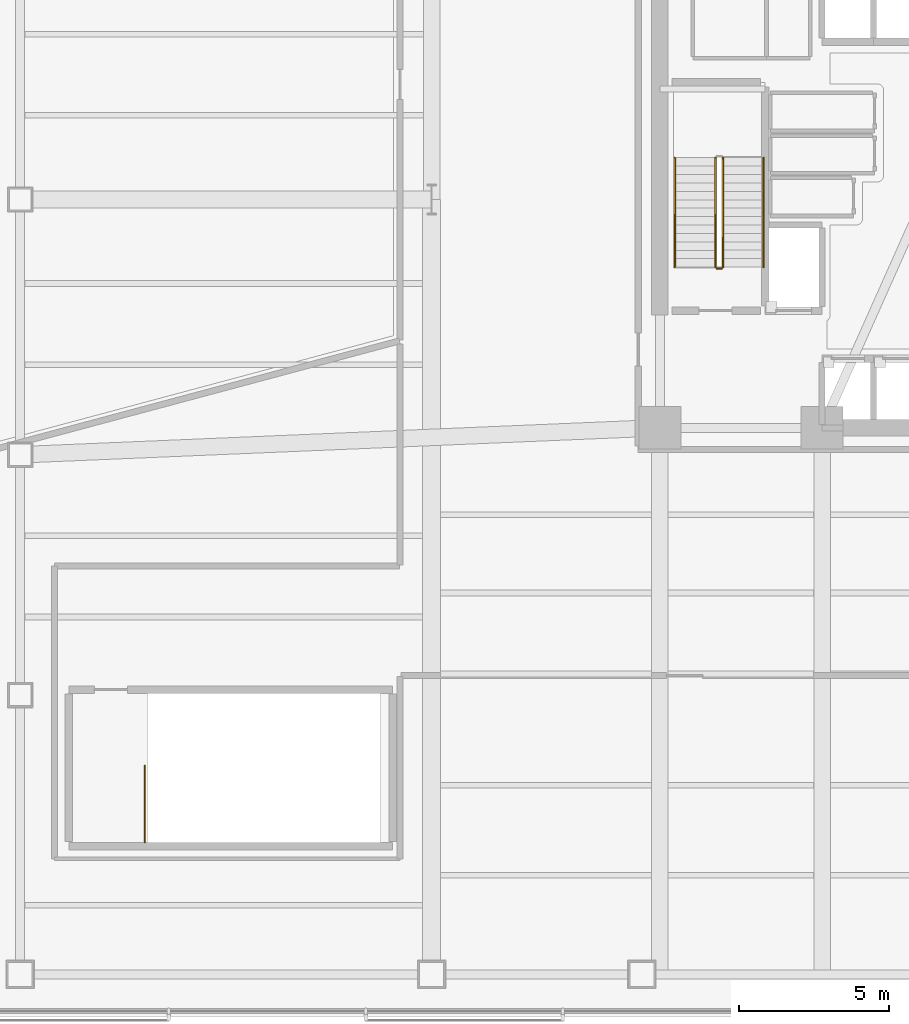
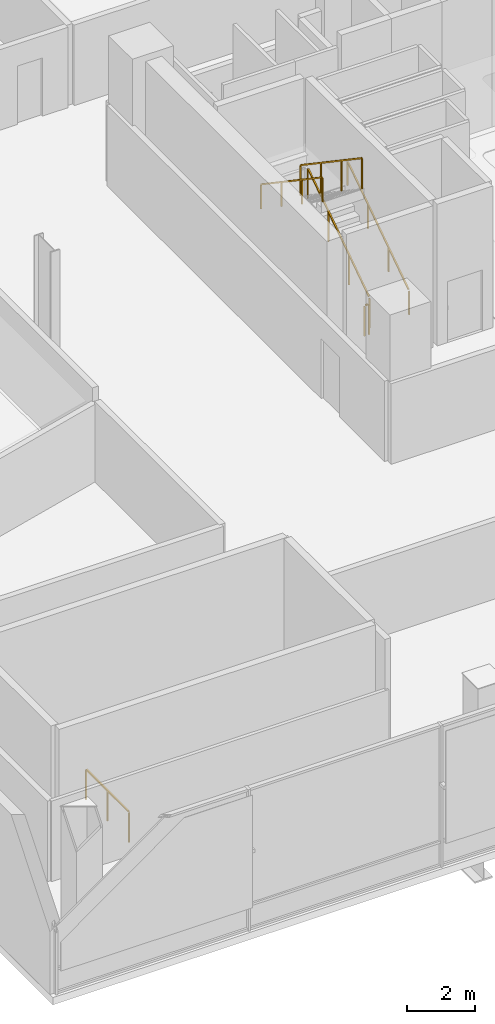
# One storey, part 17 of 19: 6 railings.
"""IFC4 building model written with IfcOpenShell, lengths in metres."""

from ifc_helpers import new_model, si_unit, direction, frame, origin, origin_2d, place, context, subcontext, project, spatial, rectangle, extrude, material, type_object, element, save


model = new_model("IFC4")

# Units and contexts
model_context = context("Model", 3, precision=1e-05, world=origin(), true_north=direction((0.0, 1.0)))
body_context = subcontext(model_context, "Body", "Model", "MODEL_VIEW")
ifc_project = project(units=[si_unit("LENGTHUNIT", "METRE"), si_unit("AREAUNIT", "SQUARE_METRE"), si_unit("VOLUMEUNIT", "CUBIC_METRE"), si_unit("PLANEANGLEUNIT", "RADIAN"), si_unit("MASSUNIT", "GRAM", prefix="KILO")], contexts=[model_context])

# Site, building, storey
site_placement = place(None, origin())
site = spatial("IfcSite", under=ifc_project, at=site_placement, CompositionType="ELEMENT")
building_placement = place(site_placement, origin())
building = spatial("IfcBuilding", under=site, at=building_placement, Name="Tharavind Bronze Gate", CompositionType="ELEMENT")
storey_placement = place(building_placement, frame((0.0, 0.0, 26.5)))
storey = spatial("IfcBuildingStorey", under=building, at=storey_placement, Name="L05", CompositionType="ELEMENT", Elevation=26.5)

# Railings
ifc_material = material(Name="Brushed Bronze Alloy", Category="metal")
railing_type_1 = type_object("IfcRailingType", Name="STAIR BRONZE HANDRAIL 900", PredefinedType="HANDRAIL", material=ifc_material)
railing_1_placement = place(storey_placement, frame((-5.449951171875, -2.25, 0.189208984375)))
element("IfcRailing", 1, at=railing_1_placement, inside=storey, type_object=railing_type_1, Name="L05 ST1 stair handrail 1", PredefinedType="HANDRAIL", context=body_context, shape_type="SweptSolid", body=[
    extrude(rectangle(XDim=0.048095703125, YDim=0.048095703125, at=origin_2d()), frame((0.0, 0.026611328125, 0.893798828125), z_axis=(0.0, 0.828451000957, 0.560061549309), x_axis=(-1.0, 0.0, 0.0)), (0.0, 0.0, 1.0), 4.32958984375),
    extrude(rectangle(XDim=0.0400390625, YDim=0.0400390625, at=origin_2d()), origin(), (0.0, 0.0, 1.0), 0.847900390625),
    extrude(rectangle(XDim=0.0400390625, YDim=0.0400390625, at=origin_2d()), frame((0.0, 1.21337890625, 0.8203125)), (0.0, 0.0, 1.0), 0.847900390625),
    extrude(rectangle(XDim=0.0400390625, YDim=0.0400390625, at=origin_2d()), frame((0.0, 2.426513671875, 1.640380859375)), (0.0, 0.0, 1.0), 0.847900390625),
    extrude(rectangle(XDim=0.0400390625, YDim=0.0400390625, at=origin_2d()), frame((0.0, 3.639892578125, 2.460693359375)), (0.0, 0.0, 1.0), 0.847900390625),
])
railing_2_placement = place(storey_placement, frame((-8.39990234375, 1.389892578125, 2.83935546875)))
element("IfcRailing", 2, at=railing_2_placement, inside=storey, type_object=railing_type_1, Name="L05 ST1 stair handrail 2", PredefinedType="HANDRAIL", context=body_context, shape_type="SweptSolid", body=[
    extrude(rectangle(XDim=0.048095703125, YDim=0.048095703125, at=origin_2d()), frame((0.0, -0.026611328125, 0.893798828125), z_axis=(0.0, -0.828451000957, 0.560061549309), x_axis=(1.0, 0.0, 0.0)), (0.0, 0.0, 1.0), 4.32958984375),
    extrude(rectangle(XDim=0.0400390625, YDim=0.0400390625, at=origin_2d()), origin(), (0.0, 0.0, 1.0), 0.847900390625),
    extrude(rectangle(XDim=0.0400390625, YDim=0.0400390625, at=origin_2d()), frame((0.0, -1.21337890625, 0.8203125)), (0.0, 0.0, 1.0), 0.847900390625),
    extrude(rectangle(XDim=0.0400390625, YDim=0.0400390625, at=origin_2d()), frame((0.0, -2.426513671875, 1.640380859375)), (0.0, 0.0, 1.0), 0.847900390625),
    extrude(rectangle(XDim=0.0400390625, YDim=0.0400390625, at=origin_2d()), frame((0.0, -3.639892578125, 2.460693359375)), (0.0, 0.0, 1.0), 0.847900390625),
])
railing_type_2 = type_object("IfcRailingType", Name="STAIR WELL GUARD RAILING 1120", PredefinedType="GUARDRAIL", material=ifc_material)
railing_3_placement = place(storey_placement, frame((-6.800048828125, -2.25, 0.189208984375)))
element("IfcRailing", 3, at=railing_3_placement, inside=storey, type_object=railing_type_2, Name="L05 ST1 stair guard 1", PredefinedType="GUARDRAIL", context=body_context, shape_type="SweptSolid", body=[
    extrude(rectangle(XDim=0.048095703125, YDim=0.048095703125, at=origin_2d()), frame((0.0, 0.026611328125, 1.114013671875), z_axis=(0.0, 0.828451000957, 0.560061549309), x_axis=(-1.0, 0.0, 0.0)), (0.0, 0.0, 1.0), 4.32958984375),
    extrude(rectangle(XDim=0.0400390625, YDim=0.0400390625, at=origin_2d()), origin(), (0.0, 0.0, 1.0), 1.068115234375),
    extrude(rectangle(XDim=0.0400390625, YDim=0.0400390625, at=origin_2d()), frame((0.0, 1.21337890625, 0.8203125)), (0.0, 0.0, 1.0), 1.068115234375),
    extrude(rectangle(XDim=0.0400390625, YDim=0.0400390625, at=origin_2d()), frame((0.0, 2.426513671875, 1.640380859375)), (0.0, 0.0, 1.0), 1.068115234375),
    extrude(rectangle(XDim=0.0400390625, YDim=0.0400390625, at=origin_2d()), frame((0.0, 3.639892578125, 2.460693359375)), (0.0, 0.0, 1.0), 1.068115234375),
])
railing_4_placement = place(storey_placement, frame((-7.050048828125, 1.389892578125, 2.83935546875)))
element("IfcRailing", 4, at=railing_4_placement, inside=storey, type_object=railing_type_2, Name="L05 ST1 stair guard 3", PredefinedType="GUARDRAIL", context=body_context, shape_type="SweptSolid", body=[
    extrude(rectangle(XDim=0.048095703125, YDim=0.048095703125, at=origin_2d()), frame((0.0, -0.026611328125, 1.114013671875), z_axis=(0.0, -0.828451000957, 0.560061549309), x_axis=(1.0, 0.0, 0.0)), (0.0, 0.0, 1.0), 4.32958984375),
    extrude(rectangle(XDim=0.0400390625, YDim=0.0400390625, at=origin_2d()), origin(), (0.0, 0.0, 1.0), 1.068115234375),
    extrude(rectangle(XDim=0.0400390625, YDim=0.0400390625, at=origin_2d()), frame((0.0, -1.21337890625, 0.8203125)), (0.0, 0.0, 1.0), 1.068115234375),
    extrude(rectangle(XDim=0.0400390625, YDim=0.0400390625, at=origin_2d()), frame((0.0, -2.426513671875, 1.640380859375)), (0.0, 0.0, 1.0), 1.068115234375),
    extrude(rectangle(XDim=0.0400390625, YDim=0.0400390625, at=origin_2d()), frame((0.0, -3.639892578125, 2.460693359375)), (0.0, 0.0, 1.0), 1.068115234375),
])
railing_5_placement = place(storey_placement, frame((-6.85009765625, -2.300048828125, 0.0)))
element("IfcRailing", 5, at=railing_5_placement, inside=storey, type_object=railing_type_2, Name="L05 ST1 stair guard 4", PredefinedType="GUARDRAIL", context=body_context, shape_type="SweptSolid", body=[
    extrude(rectangle(XDim=0.048095703125, YDim=0.048095703125, at=origin_2d()), frame((-0.031982421875, 0.0, 1.09619140625), z_axis=(-1.0, 0.0, 0.0), x_axis=(0.0, -1.0, 0.0)), (0.0, 0.0, 1.0), 0.0859375),
    extrude(rectangle(XDim=0.0400390625, YDim=0.0400390625, at=origin_2d()), origin(), (0.0, 0.0, 1.0), 1.068115234375),
    extrude(rectangle(XDim=0.0400390625, YDim=0.0400390625, at=origin_2d()), frame((-0.14990234375, 0.0, 0.0)), (0.0, 0.0, 1.0), 1.068115234375),
])
railing_6_placement = place(storey_placement, frame((-26.050048828125, -21.39990234375, 0.0)))
element("IfcRailing", 6, at=railing_6_placement, inside=storey, type_object=railing_type_2, Name="L05 ST3 top well guard 1", PredefinedType="GUARDRAIL", context=body_context, shape_type="SweptSolid", body=[
    extrude(rectangle(XDim=0.048095703125, YDim=0.048095703125, at=origin_2d()), frame((0.0, 0.031982421875, 1.09619140625), z_axis=(0.0, 1.0, 0.0), x_axis=(-1.0, 0.0, 0.0)), (0.0, 0.0, 1.0), 2.48583984375),
    extrude(rectangle(XDim=0.0400390625, YDim=0.0400390625, at=origin_2d()), origin(), (0.0, 0.0, 1.0), 1.068115234375),
    extrude(rectangle(XDim=0.0400390625, YDim=0.0400390625, at=origin_2d()), frame((0.0, 1.27490234375, 0.0)), (0.0, 0.0, 1.0), 1.068115234375),
    extrude(rectangle(XDim=0.0400390625, YDim=0.0400390625, at=origin_2d()), frame((0.0, 2.5498046875, 0.0)), (0.0, 0.0, 1.0), 1.068115234375),
])

save(model, "model.ifc")
